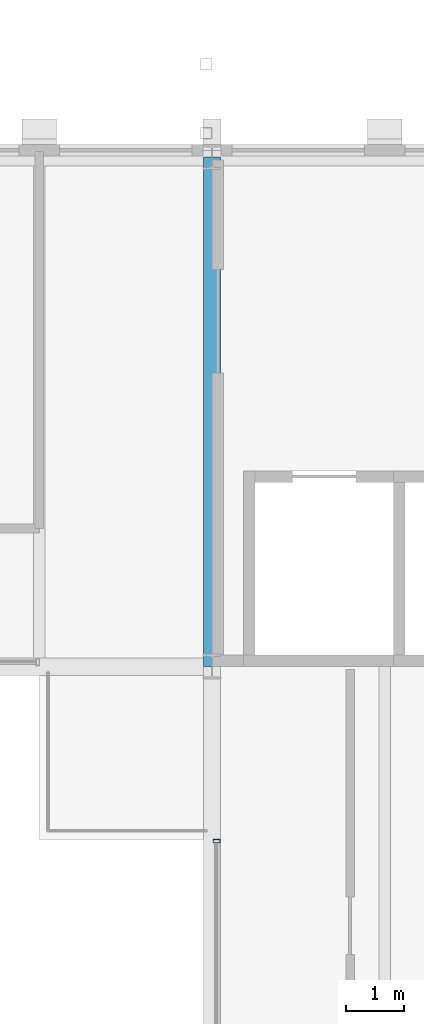
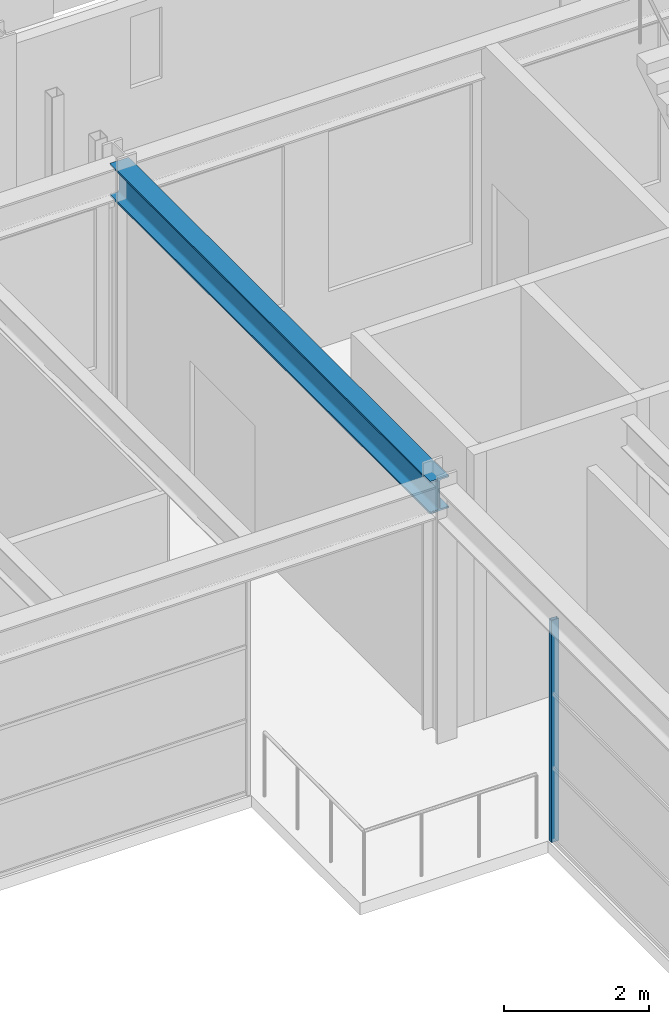
# One storey, part 67 of 153: 1 beam, 1 member, 1 element without a shape of its own.
"""IFC4 building model written with IfcOpenShell, lengths in metres."""

import ifcopenshell
import ifcopenshell.guid

model = None  # the IFC model being written
_history = None  # IfcOwnerHistory: only IFC2X3 demands one
_inside = {}  # id of a spatial element -> (the spatial element, [elements in it])
_under = {}  # id of a project, library or spatial element -> (it, [spatial elements below it])
_declared = {}  # id of a project -> (the project, [libraries it declares])
_typed = {}  # id of a type object -> (the type object, [elements of that type])
_made_of = {}  # id of a material, layer set ... -> (it, [elements and type objects made of it])


def new_model(schema):
    """Start an empty IFC model of exactly this schema.

    Asked for "IFC4X3", IfcOpenShell would pick the latest addendum, in which some entities
    have other attributes; the version numbers below select the first issue.
    IFC2X3 requires an IfcOwnerHistory on every rooted entity: one is made here for all.
    """
    global model, _history
    if schema == "IFC4X3":
        model = ifcopenshell.file(schema_version=(4, 3, 0, 0))
    else:
        model = ifcopenshell.file(schema=schema)
    _inside.clear()
    _under.clear()
    _declared.clear()
    _typed.clear()
    _made_of.clear()
    _history = None
    if model.schema == "IFC2X3":
        org = make("IfcOrganization", Name="unknown")
        user = make(
            "IfcPersonAndOrganization",
            ThePerson=make("IfcPerson", FamilyName="unknown"),
            TheOrganization=org,
        )
        app = make(
            "IfcApplication",
            ApplicationDeveloper=org,
            Version="unknown",
            ApplicationFullName="unknown",
            ApplicationIdentifier="unknown",
        )
        _history = make(
            "IfcOwnerHistory",
            OwningUser=user,
            OwningApplication=app,
            ChangeAction="ADDED",
            CreationDate=0,
        )
    return model


def make(cls, **values):
    """One entity of the class cls with the attributes given. An attribute that is None is left unset."""
    return model.create_entity(
        cls, **{name: value for name, value in values.items() if value is not None}
    )


def rooted(cls, **values):
    """An entity with a GlobalId (a new one), such as an element, a storey or a relation."""
    return make(cls, GlobalId=ifcopenshell.guid.new(), OwnerHistory=_history, **values)


def si_unit(unit_type, name, prefix=None):
    """IfcSIUnit, for example si_unit("LENGTHUNIT", "METRE", prefix="MILLI")."""
    return make("IfcSIUnit", UnitType=unit_type, Prefix=prefix, Name=name)


def assignment(units):
    """IfcUnitAssignment: the units of a project."""
    return None if units is None else make("IfcUnitAssignment", Units=units)


def point(xyz):
    """IfcCartesianPoint."""
    return None if xyz is None else make("IfcCartesianPoint", Coordinates=xyz)


def direction(xyz):
    """IfcDirection."""
    return None if xyz is None else make("IfcDirection", DirectionRatios=xyz)


def frame(location, z_axis=None, x_axis=None):
    """IfcAxis2Placement3D, a coordinate frame: its origin and axes. An axis left out is left unset."""
    return make(
        "IfcAxis2Placement3D",
        Location=point(location),
        Axis=direction(z_axis),
        RefDirection=direction(x_axis),
    )


def frame_2d(location, x_axis=None):
    """IfcAxis2Placement2D, a coordinate frame in the plane: its origin and x axis."""
    return make(
        "IfcAxis2Placement2D", Location=point(location), RefDirection=direction(x_axis)
    )


def origin():
    """The frame at (0, 0, 0) with its axes left unset."""
    return frame((0.0, 0.0, 0.0))


def origin_2d():
    """The frame at (0, 0) in the plane with its x axis left unset."""
    return frame_2d((0.0, 0.0))


def place(relative_to, where):
    """IfcLocalPlacement: puts the frame where relative to a parent placement (None: the world)."""
    return make(
        "IfcLocalPlacement", PlacementRelTo=relative_to, RelativePlacement=where
    )


def context(
    kind, dimensions, precision=None, world=None, true_north=None, identifier=None
):
    """IfcGeometricRepresentationContext, for example the 3D "Model" context."""
    return make(
        "IfcGeometricRepresentationContext",
        ContextIdentifier=identifier,
        ContextType=kind,
        CoordinateSpaceDimension=dimensions,
        Precision=precision,
        WorldCoordinateSystem=world,
        TrueNorth=true_north,
    )


def subcontext(parent, identifier, kind, view, scale=None):
    """IfcGeometricRepresentationSubContext, for example "Body" below "Model"."""
    return make(
        "IfcGeometricRepresentationSubContext",
        ContextIdentifier=identifier,
        ContextType=kind,
        ParentContext=parent,
        TargetScale=scale,
        TargetView=view,
    )


def project(units=None, contexts=None):
    """IfcProject with its units and contexts."""
    return rooted(
        "IfcProject",
        Name="project",
        RepresentationContexts=contexts,
        UnitsInContext=assignment(units),
    )


def spatial(cls, under=None, at=None, **own):
    """A site, building, storey or space (cls), placed at a placement, below another one or the project."""
    s = rooted(cls, ObjectPlacement=at, **own)
    if under is not None:
        _under.setdefault(under.id(), (under, []))[1].append(s)
    return s


def profile(cls, at=None, kind="AREA", **sizes):
    """A parametric profile (cls). Its sizes go by their IFC names, for example OverallWidth=200.0."""
    return make(cls, ProfileType=kind, Position=at, **sizes)


def hollow_rectangle(**sizes):
    """IfcRectangleHollowProfileDef."""
    return profile("IfcRectangleHollowProfileDef", **sizes)


def i_section(**sizes):
    """IfcIShapeProfileDef."""
    return profile("IfcIShapeProfileDef", **sizes)


def extrude(swept, where, along, depth):
    """IfcExtrudedAreaSolid: the profile swept, set in the frame where, extruded along a direction by depth."""
    return make(
        "IfcExtrudedAreaSolid",
        SweptArea=swept,
        Position=where,
        ExtrudedDirection=direction(along),
        Depth=depth,
    )


def shape(context_of_items, identifier, shape_type, items):
    """IfcShapeRepresentation: the items that make up one representation, for example the "Body"."""
    return make(
        "IfcShapeRepresentation",
        ContextOfItems=context_of_items,
        RepresentationIdentifier=identifier,
        RepresentationType=shape_type,
        Items=items,
    )


def material(Name=None, Category=None):
    """IfcMaterial."""
    return make("IfcMaterial", Name=Name, Category=Category)


def material_profile(
    of_material, cross_section, Name=None, Category=None, Priority=None
):
    """IfcMaterialProfile: a cross section and its material."""
    return make(
        "IfcMaterialProfile",
        Name=Name,
        Material=of_material,
        Profile=cross_section,
        Priority=Priority,
        Category=Category,
    )


def profile_set(profiles, Name=None, composite=None):
    """IfcMaterialProfileSet."""
    return make(
        "IfcMaterialProfileSet",
        Name=Name,
        MaterialProfiles=profiles,
        CompositeProfile=composite,
    )


def made_of(thing, what):
    """Note that an element or type object is made of a material, layer set ...; save() writes the relation."""
    if what is not None:
        _made_of.setdefault(what.id(), (what, []))[1].append(thing)
    return thing


def type_object(cls, material=None, **own):
    """A type object (cls), such as IfcWallType, which elements share."""
    return made_of(rooted(cls, **own), material)


def element(
    cls,
    number,
    at=None,
    inside=None,
    cuts=None,
    type_object=None,
    material=None,
    context=None,
    identifier="Body",
    shape_type=None,
    held_by="IfcProductDefinitionShape",
    body=None,
    shapes=None,
    **own,
):
    """One element of the class cls, such as IfcWall. Its Tag is "e" and its number.

    at: its placement. inside: the storey or other place that contains it. cuts: it is an
    opening in that element (IfcRelVoidsElement). A single representation is given by context,
    identifier, shape_type and body (its items); several are given by shapes. held_by: the class
    of the entity that holds the representations. save() writes the other relations.
    """
    e = rooted(cls, Tag="e%d" % number, ObjectPlacement=at, **own)
    if body is not None:
        shapes = [shape(context, identifier, shape_type, body)]
    if shapes is not None:
        e.Representation = make(held_by, Representations=shapes)
    if inside is not None:
        _inside.setdefault(inside.id(), (inside, []))[1].append(e)
    if cuts is not None:
        rooted(
            "IfcRelVoidsElement", RelatingBuildingElement=cuts, RelatedOpeningElement=e
        )
    if type_object is not None:
        _typed.setdefault(type_object.id(), (type_object, []))[1].append(e)
    return made_of(e, material)


def aggregate(whole, parts):
    """IfcRelAggregates: a whole, such as a stair, and the parts it consists of."""
    return rooted("IfcRelAggregates", RelatingObject=whole, RelatedObjects=parts)


def save(model, path):
    """Write the relations noted so far, then the file.

    IfcRelAggregates (storeys below a building ...), IfcRelContainedInSpatialStructure (elements
    in a storey), IfcRelDefinesByType, IfcRelAssociatesMaterial and IfcRelDeclares: one each for
    every whole, place, type object, material and project.
    """
    for whole, parts in _under.values():
        aggregate(whole, parts)
    for where, things in _inside.values():
        rooted(
            "IfcRelContainedInSpatialStructure",
            RelatedElements=things,
            RelatingStructure=where,
        )
    for kind, things in _typed.values():
        rooted("IfcRelDefinesByType", RelatedObjects=things, RelatingType=kind)
    for what, things in _made_of.values():
        rooted("IfcRelAssociatesMaterial", RelatedObjects=things, RelatingMaterial=what)
    for by, libraries in _declared.values():
        rooted("IfcRelDeclares", RelatingContext=by, RelatedDefinitions=libraries)
    model.write(path)


model = new_model("IFC4")

# Units and contexts
model_context = context("Model", 3, precision=1e-05, world=origin(), true_north=direction((0.0, 1.0)))
body_context = subcontext(model_context, "Body", "Model", "MODEL_VIEW")
ifc_project = project(units=[si_unit("LENGTHUNIT", "METRE"), si_unit("AREAUNIT", "SQUARE_METRE"), si_unit("VOLUMEUNIT", "CUBIC_METRE"), si_unit("PLANEANGLEUNIT", "RADIAN"), si_unit("MASSUNIT", "GRAM", prefix="KILO")], contexts=[model_context])

# Site, building, storey
site_placement = place(None, origin())
site = spatial("IfcSite", under=ifc_project, at=site_placement, CompositionType="ELEMENT")
building_placement = place(site_placement, origin())
building = spatial("IfcBuilding", under=site, at=building_placement, Name="Kallimachos Central Library", CompositionType="ELEMENT")
storey_placement = place(building_placement, frame((0.0, 0.0, 5.39990234375)))
storey = spatial("IfcBuildingStorey", under=building, at=storey_placement, Name="L01", CompositionType="ELEMENT", Elevation=5.39990234375)

# Curtain wall, member
ifc_material_1 = material(Name="Aluminium and laminated glass", Category="aluminium")
curtain_wall_type = type_object("IfcCurtainWallType", Name="Atrium glazed screen", PredefinedType="NOTDEFINED", material=ifc_material_1)
curtain_wall_placement = place(storey_placement, origin())
curtain_wall = element("IfcCurtainWall", 1, at=curtain_wall_placement, inside=storey, type_object=curtain_wall_type, Name="L01 atrium screen E", PredefinedType="NOTDEFINED")
ifc_material_2 = material(Name="Anodised aluminium", Category="aluminium")
ifc_material_profile_1 = material_profile(ifc_material_2, hollow_rectangle(XDim=0.06005859375, YDim=0.1201171875, WallThickness=0.00390625, at=origin_2d()), Name="ALU MULLION 60x120")
ifc_profile_set_1 = profile_set([ifc_material_profile_1], Name="Anodised aluminium")
member_type = type_object("IfcMemberType", Name="Atrium screen mullion", PredefinedType="MULLION", material=ifc_profile_set_1)
member_placement = place(storey_placement, frame((101.580078125, 71.969970703125, 0.0), z_axis=(0.0, 0.0, 1.0), x_axis=(0.0, 1.0, 0.0)))
member = element("IfcMember", 2, at=member_placement, type_object=member_type, Name="CW mullion 4", PredefinedType="MULLION", context=body_context, shape_type="SweptSolid", body=[
    extrude(hollow_rectangle(XDim=0.06005859375, YDim=0.1201171875, WallThickness=0.00390625, at=origin_2d()), origin(), (0.0, 0.0, 1.0), 3.75),
])
aggregate(curtain_wall, [member])

# Beam
ifc_material_3 = material(Name="Steel S355J2", Category="steel")
ifc_material_profile_2 = material_profile(ifc_material_3, i_section(OverallWidth=0.300048828125, OverallDepth=0.550048828125, WebThickness=0.014892578125, FlangeThickness=0.029052734375, FilletRadius=0.027099609375, at=origin_2d()), Name="HEB 550")
ifc_profile_set_2 = profile_set([ifc_material_profile_2], Name="Steel S355J2")
beam_type = type_object("IfcBeamType", Name="HEB 550 beam", PredefinedType="BEAM", material=ifc_profile_set_2)
beam_placement = place(storey_placement, frame((101.5, 75.0, 4.025146484375), z_axis=(0.0, 1.0, 0.0), x_axis=(-1.0, 0.0, 0.0)))
element("IfcBeam", 3, at=beam_placement, inside=storey, type_object=beam_type, Name="V4-BEM-L01-013", PredefinedType="BEAM", context=body_context, shape_type="SweptSolid", body=[
    extrude(i_section(OverallWidth=0.300048828125, OverallDepth=0.550048828125, WebThickness=0.014892578125, FlangeThickness=0.029052734375, FilletRadius=0.027099609375, at=origin_2d()), origin(), (0.0, 0.0, 1.0), 8.85009765625),
])

save(model, "model.ifc")
